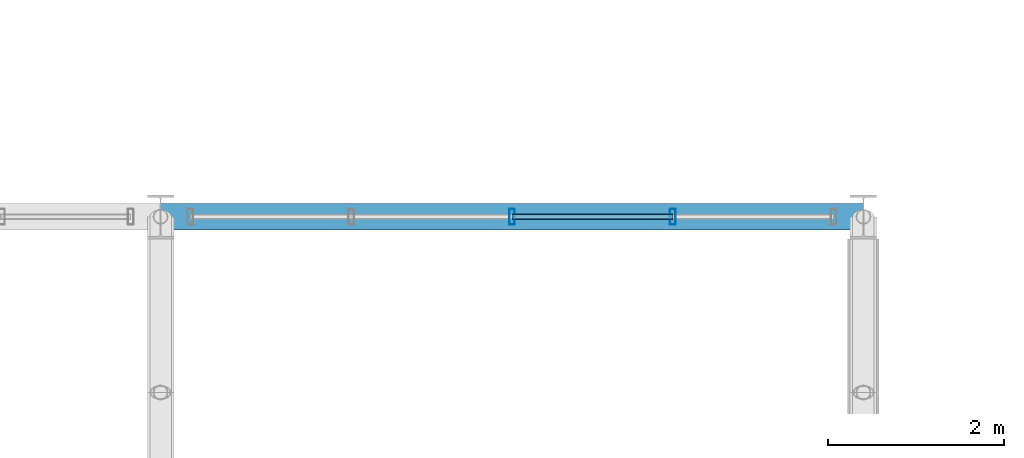
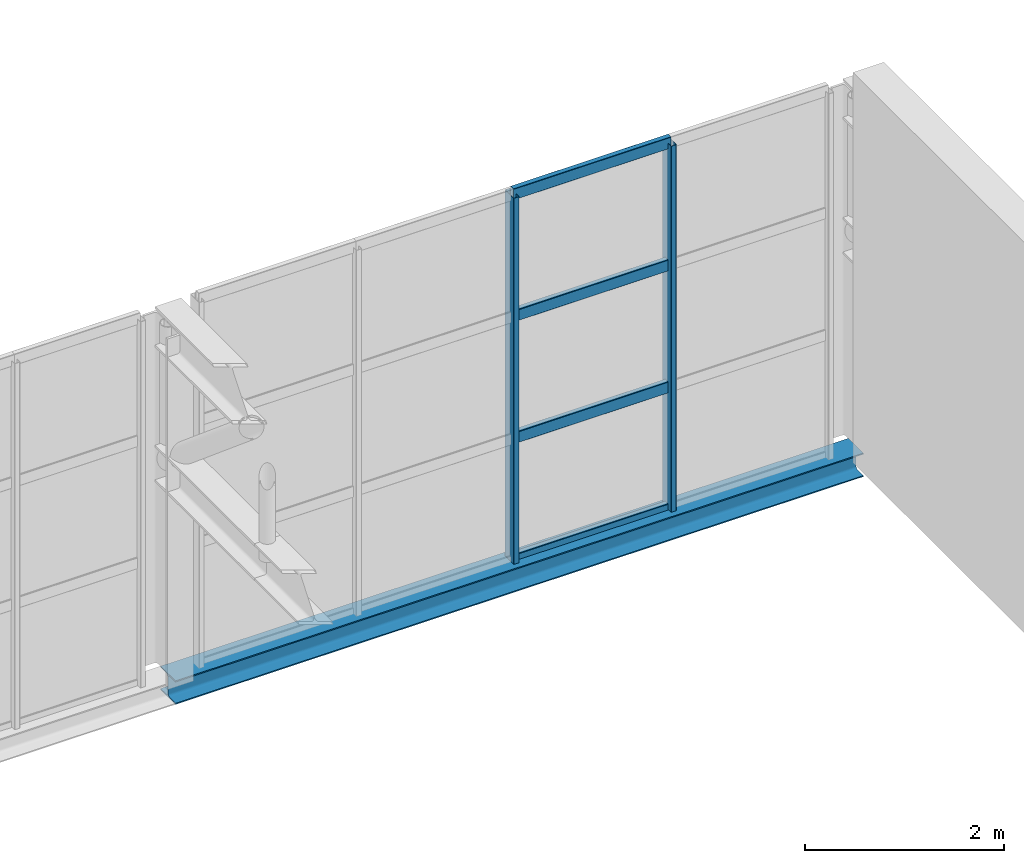
# One storey, part 95 of 143: 6 members, 1 beam, 1 element without a shape of its own.
"""IFC4 building model written with IfcOpenShell, lengths in metres."""

import ifcopenshell
import ifcopenshell.guid

model = None  # the IFC model being written
_history = None  # IfcOwnerHistory: only IFC2X3 demands one
_inside = {}  # id of a spatial element -> (the spatial element, [elements in it])
_under = {}  # id of a project, library or spatial element -> (it, [spatial elements below it])
_declared = {}  # id of a project -> (the project, [libraries it declares])
_typed = {}  # id of a type object -> (the type object, [elements of that type])
_made_of = {}  # id of a material, layer set ... -> (it, [elements and type objects made of it])


def new_model(schema):
    """Start an empty IFC model of exactly this schema.

    Asked for "IFC4X3", IfcOpenShell would pick the latest addendum, in which some entities
    have other attributes; the version numbers below select the first issue.
    IFC2X3 requires an IfcOwnerHistory on every rooted entity: one is made here for all.
    """
    global model, _history
    if schema == "IFC4X3":
        model = ifcopenshell.file(schema_version=(4, 3, 0, 0))
    else:
        model = ifcopenshell.file(schema=schema)
    _inside.clear()
    _under.clear()
    _declared.clear()
    _typed.clear()
    _made_of.clear()
    _history = None
    if model.schema == "IFC2X3":
        org = make("IfcOrganization", Name="unknown")
        user = make(
            "IfcPersonAndOrganization",
            ThePerson=make("IfcPerson", FamilyName="unknown"),
            TheOrganization=org,
        )
        app = make(
            "IfcApplication",
            ApplicationDeveloper=org,
            Version="unknown",
            ApplicationFullName="unknown",
            ApplicationIdentifier="unknown",
        )
        _history = make(
            "IfcOwnerHistory",
            OwningUser=user,
            OwningApplication=app,
            ChangeAction="ADDED",
            CreationDate=0,
        )
    return model


def make(cls, **values):
    """One entity of the class cls with the attributes given. An attribute that is None is left unset."""
    return model.create_entity(
        cls, **{name: value for name, value in values.items() if value is not None}
    )


def rooted(cls, **values):
    """An entity with a GlobalId (a new one), such as an element, a storey or a relation."""
    return make(cls, GlobalId=ifcopenshell.guid.new(), OwnerHistory=_history, **values)


def si_unit(unit_type, name, prefix=None):
    """IfcSIUnit, for example si_unit("LENGTHUNIT", "METRE", prefix="MILLI")."""
    return make("IfcSIUnit", UnitType=unit_type, Prefix=prefix, Name=name)


def derived_unit(unit_type, elements):
    """IfcDerivedUnit: a product of units, each with its exponent."""
    return make(
        "IfcDerivedUnit",
        Elements=[
            make("IfcDerivedUnitElement", Unit=unit, Exponent=power)
            for unit, power in elements
        ],
        UnitType=unit_type,
    )


def assignment(units):
    """IfcUnitAssignment: the units of a project."""
    return None if units is None else make("IfcUnitAssignment", Units=units)


def point(xyz):
    """IfcCartesianPoint."""
    return None if xyz is None else make("IfcCartesianPoint", Coordinates=xyz)


def direction(xyz):
    """IfcDirection."""
    return None if xyz is None else make("IfcDirection", DirectionRatios=xyz)


def frame(location, z_axis=None, x_axis=None):
    """IfcAxis2Placement3D, a coordinate frame: its origin and axes. An axis left out is left unset."""
    return make(
        "IfcAxis2Placement3D",
        Location=point(location),
        Axis=direction(z_axis),
        RefDirection=direction(x_axis),
    )


def frame_2d(location, x_axis=None):
    """IfcAxis2Placement2D, a coordinate frame in the plane: its origin and x axis."""
    return make(
        "IfcAxis2Placement2D", Location=point(location), RefDirection=direction(x_axis)
    )


def origin():
    """The frame at (0, 0, 0) with its axes left unset."""
    return frame((0.0, 0.0, 0.0))


def origin_2d():
    """The frame at (0, 0) in the plane with its x axis left unset."""
    return frame_2d((0.0, 0.0))


def place(relative_to, where):
    """IfcLocalPlacement: puts the frame where relative to a parent placement (None: the world)."""
    return make(
        "IfcLocalPlacement", PlacementRelTo=relative_to, RelativePlacement=where
    )


def context(
    kind, dimensions, precision=None, world=None, true_north=None, identifier=None
):
    """IfcGeometricRepresentationContext, for example the 3D "Model" context."""
    return make(
        "IfcGeometricRepresentationContext",
        ContextIdentifier=identifier,
        ContextType=kind,
        CoordinateSpaceDimension=dimensions,
        Precision=precision,
        WorldCoordinateSystem=world,
        TrueNorth=true_north,
    )


def subcontext(parent, identifier, kind, view, scale=None):
    """IfcGeometricRepresentationSubContext, for example "Body" below "Model"."""
    return make(
        "IfcGeometricRepresentationSubContext",
        ContextIdentifier=identifier,
        ContextType=kind,
        ParentContext=parent,
        TargetScale=scale,
        TargetView=view,
    )


def project(units=None, contexts=None):
    """IfcProject with its units and contexts."""
    return rooted(
        "IfcProject",
        Name="project",
        RepresentationContexts=contexts,
        UnitsInContext=assignment(units),
    )


def spatial(cls, under=None, at=None, **own):
    """A site, building, storey or space (cls), placed at a placement, below another one or the project."""
    s = rooted(cls, ObjectPlacement=at, **own)
    if under is not None:
        _under.setdefault(under.id(), (under, []))[1].append(s)
    return s


def profile(cls, at=None, kind="AREA", **sizes):
    """A parametric profile (cls). Its sizes go by their IFC names, for example OverallWidth=200.0."""
    return make(cls, ProfileType=kind, Position=at, **sizes)


def hollow_rectangle(**sizes):
    """IfcRectangleHollowProfileDef."""
    return profile("IfcRectangleHollowProfileDef", **sizes)


def i_section(**sizes):
    """IfcIShapeProfileDef."""
    return profile("IfcIShapeProfileDef", **sizes)


def extrude(swept, where, along, depth):
    """IfcExtrudedAreaSolid: the profile swept, set in the frame where, extruded along a direction by depth."""
    return make(
        "IfcExtrudedAreaSolid",
        SweptArea=swept,
        Position=where,
        ExtrudedDirection=direction(along),
        Depth=depth,
    )


def shape(context_of_items, identifier, shape_type, items):
    """IfcShapeRepresentation: the items that make up one representation, for example the "Body"."""
    return make(
        "IfcShapeRepresentation",
        ContextOfItems=context_of_items,
        RepresentationIdentifier=identifier,
        RepresentationType=shape_type,
        Items=items,
    )


def material(Name=None, Category=None):
    """IfcMaterial."""
    return make("IfcMaterial", Name=Name, Category=Category)


def material_profile(
    of_material, cross_section, Name=None, Category=None, Priority=None
):
    """IfcMaterialProfile: a cross section and its material."""
    return make(
        "IfcMaterialProfile",
        Name=Name,
        Material=of_material,
        Profile=cross_section,
        Priority=Priority,
        Category=Category,
    )


def profile_set(profiles, Name=None, composite=None):
    """IfcMaterialProfileSet."""
    return make(
        "IfcMaterialProfileSet",
        Name=Name,
        MaterialProfiles=profiles,
        CompositeProfile=composite,
    )


def made_of(thing, what):
    """Note that an element or type object is made of a material, layer set ...; save() writes the relation."""
    if what is not None:
        _made_of.setdefault(what.id(), (what, []))[1].append(thing)
    return thing


def type_object(cls, material=None, **own):
    """A type object (cls), such as IfcWallType, which elements share."""
    return made_of(rooted(cls, **own), material)


def element(
    cls,
    number,
    at=None,
    inside=None,
    cuts=None,
    type_object=None,
    material=None,
    context=None,
    identifier="Body",
    shape_type=None,
    held_by="IfcProductDefinitionShape",
    body=None,
    shapes=None,
    **own,
):
    """One element of the class cls, such as IfcWall. Its Tag is "e" and its number.

    at: its placement. inside: the storey or other place that contains it. cuts: it is an
    opening in that element (IfcRelVoidsElement). A single representation is given by context,
    identifier, shape_type and body (its items); several are given by shapes. held_by: the class
    of the entity that holds the representations. save() writes the other relations.
    """
    e = rooted(cls, Tag="e%d" % number, ObjectPlacement=at, **own)
    if body is not None:
        shapes = [shape(context, identifier, shape_type, body)]
    if shapes is not None:
        e.Representation = make(held_by, Representations=shapes)
    if inside is not None:
        _inside.setdefault(inside.id(), (inside, []))[1].append(e)
    if cuts is not None:
        rooted(
            "IfcRelVoidsElement", RelatingBuildingElement=cuts, RelatedOpeningElement=e
        )
    if type_object is not None:
        _typed.setdefault(type_object.id(), (type_object, []))[1].append(e)
    return made_of(e, material)


def aggregate(whole, parts):
    """IfcRelAggregates: a whole, such as a stair, and the parts it consists of."""
    return rooted("IfcRelAggregates", RelatingObject=whole, RelatedObjects=parts)


def save(model, path):
    """Write the relations noted so far, then the file.

    IfcRelAggregates (storeys below a building ...), IfcRelContainedInSpatialStructure (elements
    in a storey), IfcRelDefinesByType, IfcRelAssociatesMaterial and IfcRelDeclares: one each for
    every whole, place, type object, material and project.
    """
    for whole, parts in _under.values():
        aggregate(whole, parts)
    for where, things in _inside.values():
        rooted(
            "IfcRelContainedInSpatialStructure",
            RelatedElements=things,
            RelatingStructure=where,
        )
    for kind, things in _typed.values():
        rooted("IfcRelDefinesByType", RelatedObjects=things, RelatingType=kind)
    for what, things in _made_of.values():
        rooted("IfcRelAssociatesMaterial", RelatedObjects=things, RelatingMaterial=what)
    for by, libraries in _declared.values():
        rooted("IfcRelDeclares", RelatingContext=by, RelatedDefinitions=libraries)
    model.write(path)


model = new_model("IFC4")

# Units and contexts
model_context = context("Model", 3, precision=1e-05, world=origin(), true_north=direction((0.0, 1.0)))
body_context = subcontext(model_context, "Body", "Model", "MODEL_VIEW")
ifc_project = project(units=[si_unit("LENGTHUNIT", "METRE"), si_unit("AREAUNIT", "SQUARE_METRE"), si_unit("VOLUMEUNIT", "CUBIC_METRE"), si_unit("PLANEANGLEUNIT", "RADIAN"), si_unit("MASSUNIT", "GRAM", prefix="KILO"), derived_unit("THERMALTRANSMITTANCEUNIT", [(si_unit("POWERUNIT", "WATT"), 1), (si_unit("LENGTHUNIT", "METRE"), -2), (si_unit("THERMODYNAMICTEMPERATUREUNIT", "KELVIN"), -1)])], contexts=[model_context])

# Site, building, storey
site_placement = place(None, origin())
site = spatial("IfcSite", under=ifc_project, at=site_placement, CompositionType="ELEMENT")
building_placement = place(site_placement, origin())
building = spatial("IfcBuilding", under=site, at=building_placement, Name="Keldorne Ridge Multi-Sports Centre", CompositionType="ELEMENT")
storey_placement = place(building_placement, frame((0.0, 0.0, 4.800048828125)))
storey = spatial("IfcBuildingStorey", under=building, at=storey_placement, Name="L01", CompositionType="ELEMENT", Elevation=4.800048828125)

# Beam
ifc_material_1 = material(Name="Steel S355", Category="steel")
ifc_material_profile_1 = material_profile(ifc_material_1, i_section(OverallWidth=0.300048828125, OverallDepth=0.2900390625, WebThickness=0.008544921875, FlangeThickness=0.013916015625, FilletRadius=0.027099609375, at=origin_2d()), Name="HEA 300")
ifc_profile_set_1 = profile_set([ifc_material_profile_1], Name="Steel S355")
beam_type = type_object("IfcBeamType", Name="BM-SP-04", PredefinedType="SPANDREL", material=ifc_profile_set_1)
beam_placement = place(storey_placement, frame((160.0, 54.0, -0.150146484375), z_axis=(1.0, 0.0, 0.0), x_axis=(0.0, 1.0, 0.0)))
element("IfcBeam", 1, at=beam_placement, inside=storey, type_object=beam_type, Name="Stacked Courts spandrel L01.54.8", PredefinedType="SPANDREL", context=body_context, shape_type="SweptSolid", body=[
    extrude(i_section(OverallWidth=0.300048828125, OverallDepth=0.2900390625, WebThickness=0.008544921875, FlangeThickness=0.013916015625, FilletRadius=0.027099609375, at=origin_2d()), origin(), (0.0, 0.0, 1.0), 8.0),
])

# Curtain wall, members
ifc_material_2 = material(Name="Anodized aluminium", Category="aluminium")
curtain_wall_type = type_object("IfcCurtainWallType", Name="CW-CW-08", PredefinedType="NOTDEFINED", material=ifc_material_2)
curtain_wall_placement = place(storey_placement, origin())
curtain_wall = element("IfcCurtainWall", 2, at=curtain_wall_placement, inside=storey, type_object=curtain_wall_type, Name="Lower Courts north clerestory 136", PredefinedType="NOTDEFINED")
ifc_material_profile_2 = material_profile(ifc_material_2, hollow_rectangle(XDim=0.06494140625, YDim=0.179931640625, WallThickness=0.00439453125, InnerFilletRadius=0.00439453125, OuterFilletRadius=0.009033203125, at=origin_2d()), Name="ALU MULLION 180x65x4.5")
ifc_profile_set_2 = profile_set([ifc_material_profile_2], Name="Anodized aluminium")
member_type_1 = type_object("IfcMemberType", Name="MEM-ML-01", PredefinedType="MULLION", material=ifc_profile_set_2)
member_1_placement = place(storey_placement, frame((165.830078125, 54.0, 0.0), z_axis=(0.0, 0.0, 1.0), x_axis=(1.0, 0.0, 0.0)))
member_1 = element("IfcMember", 3, at=member_1_placement, type_object=member_type_1, Name="CW-136 vertical mullion 2", PredefinedType="MULLION", context=body_context, shape_type="SweptSolid", body=[
    extrude(hollow_rectangle(XDim=0.06494140625, YDim=0.179931640625, WallThickness=0.00439453125, InnerFilletRadius=0.00439453125, OuterFilletRadius=0.009033203125, at=origin_2d()), origin(), (0.0, 0.0, 1.0), 4.5),
])
member_2_placement = place(storey_placement, frame((164.0, 54.0, 0.0), z_axis=(0.0, 0.0, 1.0), x_axis=(1.0, 0.0, 0.0)))
member_2 = element("IfcMember", 4, at=member_2_placement, type_object=member_type_1, Name="CW-136 vertical mullion 3", PredefinedType="MULLION", context=body_context, shape_type="SweptSolid", body=[
    extrude(hollow_rectangle(XDim=0.06494140625, YDim=0.179931640625, WallThickness=0.00439453125, InnerFilletRadius=0.00439453125, OuterFilletRadius=0.009033203125, at=origin_2d()), origin(), (0.0, 0.0, 1.0), 4.5),
])
ifc_material_profile_3 = material_profile(ifc_material_2, hollow_rectangle(XDim=0.06494140625, YDim=0.139892578125, WallThickness=0.00439453125, InnerFilletRadius=0.00439453125, OuterFilletRadius=0.009033203125, at=origin_2d()), Name="ALU TRANSOM 140x65x4.5")
ifc_profile_set_3 = profile_set([ifc_material_profile_3], Name="Anodized aluminium")
member_type_2 = type_object("IfcMemberType", Name="MEM-TR-01", PredefinedType="USERDEFINED", material=ifc_profile_set_3)
member_3_placement = place(storey_placement, frame((165.830078125, 54.0, 0.0), z_axis=(-1.0, 0.0, 0.0), x_axis=(0.0, -1.0, 0.0)))
member_3 = element("IfcMember", 5, at=member_3_placement, type_object=member_type_2, Name="CW-136 transom 2.1", ObjectType="TRANSOM", PredefinedType="USERDEFINED", context=body_context, shape_type="SweptSolid", body=[
    extrude(hollow_rectangle(XDim=0.06494140625, YDim=0.139892578125, WallThickness=0.00439453125, InnerFilletRadius=0.00439453125, OuterFilletRadius=0.009033203125, at=origin_2d()), origin(), (0.0, 0.0, 1.0), 1.830078125),
])
member_4_placement = place(storey_placement, frame((165.830078125, 54.0, 1.5), z_axis=(-1.0, 0.0, 0.0), x_axis=(0.0, -1.0, 0.0)))
member_4 = element("IfcMember", 6, at=member_4_placement, type_object=member_type_2, Name="CW-136 transom 2.2", ObjectType="TRANSOM", PredefinedType="USERDEFINED", context=body_context, shape_type="SweptSolid", body=[
    extrude(hollow_rectangle(XDim=0.06494140625, YDim=0.139892578125, WallThickness=0.00439453125, InnerFilletRadius=0.00439453125, OuterFilletRadius=0.009033203125, at=origin_2d()), origin(), (0.0, 0.0, 1.0), 1.830078125),
])
member_5_placement = place(storey_placement, frame((165.830078125, 54.0, 3.0), z_axis=(-1.0, 0.0, 0.0), x_axis=(0.0, -1.0, 0.0)))
member_5 = element("IfcMember", 7, at=member_5_placement, type_object=member_type_2, Name="CW-136 transom 2.3", ObjectType="TRANSOM", PredefinedType="USERDEFINED", context=body_context, shape_type="SweptSolid", body=[
    extrude(hollow_rectangle(XDim=0.06494140625, YDim=0.139892578125, WallThickness=0.00439453125, InnerFilletRadius=0.00439453125, OuterFilletRadius=0.009033203125, at=origin_2d()), origin(), (0.0, 0.0, 1.0), 1.830078125),
])
member_6_placement = place(storey_placement, frame((165.830078125, 54.0, 4.5), z_axis=(-1.0, 0.0, 0.0), x_axis=(0.0, -1.0, 0.0)))
member_6 = element("IfcMember", 8, at=member_6_placement, type_object=member_type_2, Name="CW-136 transom 2.4", ObjectType="TRANSOM", PredefinedType="USERDEFINED", context=body_context, shape_type="SweptSolid", body=[
    extrude(hollow_rectangle(XDim=0.06494140625, YDim=0.139892578125, WallThickness=0.00439453125, InnerFilletRadius=0.00439453125, OuterFilletRadius=0.009033203125, at=origin_2d()), origin(), (0.0, 0.0, 1.0), 1.830078125),
])
aggregate(curtain_wall, [member_1, member_2, member_3, member_4, member_5, member_6])

save(model, "model.ifc")
